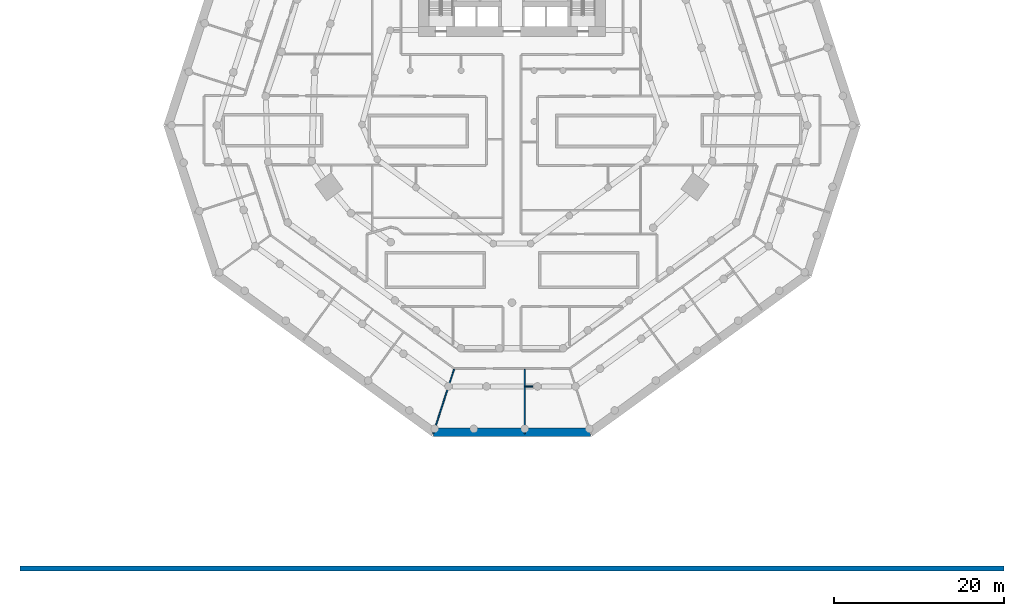
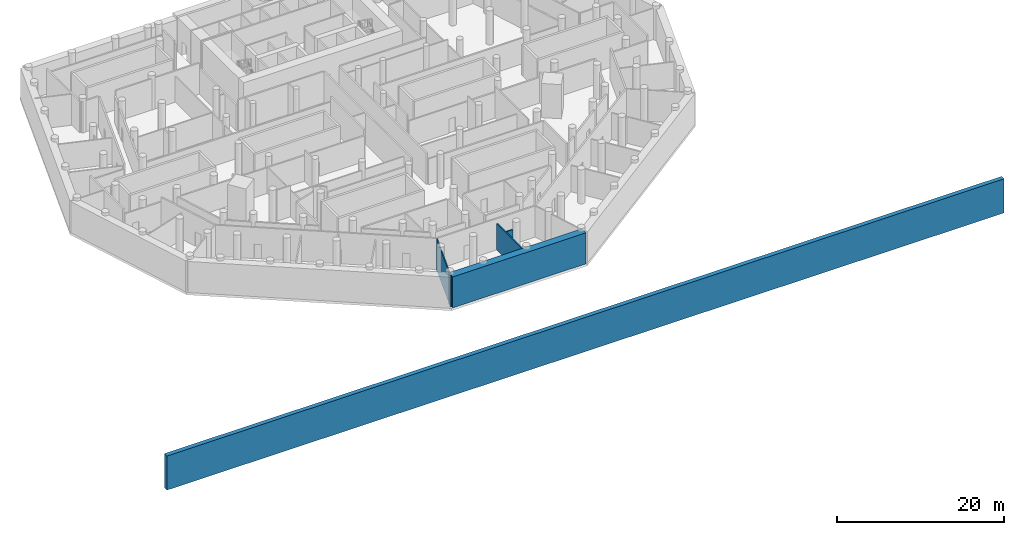
# One storey, part 4 of 10: 5 walls.
"""IFC4 building model written with IfcOpenShell, lengths in metres."""

from ifc_helpers import new_model, si_unit, direction, frame, frame_2d, origin, place, context, subcontext, project, spatial, rectangle, extrude, material, layer, layer_set, type_object, element, save


model = new_model("IFC4")

# Units and contexts
model_context = context("Model", 3, precision=1e-05, world=origin(), true_north=direction((0.0, 1.0)))
body_context = subcontext(model_context, "Body", "Model", "MODEL_VIEW")
ifc_project = project(units=[si_unit("LENGTHUNIT", "METRE"), si_unit("AREAUNIT", "SQUARE_METRE"), si_unit("VOLUMEUNIT", "CUBIC_METRE"), si_unit("PLANEANGLEUNIT", "RADIAN"), si_unit("MASSUNIT", "GRAM", prefix="KILO")], contexts=[model_context])

# Site, building, storey
site_placement = place(None, origin())
site = spatial("IfcSite", under=ifc_project, at=site_placement, CompositionType="ELEMENT")
building_placement = place(site_placement, origin())
building = spatial("IfcBuilding", under=site, at=building_placement, Name="White Candle Pilgrim Tower", CompositionType="ELEMENT")
storey_placement = place(building_placement, frame((0.0, 0.0, -5.0)))
storey = spatial("IfcBuildingStorey", under=building, at=storey_placement, Name="B1", CompositionType="ELEMENT", Elevation=-5.0)

# Walls
ifc_material_1 = material(Name="Concrete C40/50", Category="concrete")
ifc_layer_1 = layer(ifc_material_1, 1.0)
ifc_layer_set_1 = layer_set([ifc_layer_1], Name="Diaphragm wall 1000")
wall_type_1 = type_object("IfcWallType", Name="Diaphragm wall 1000", PredefinedType="SOLIDWALL", material=ifc_layer_set_1)
wall_1_placement = place(storey_placement, frame((79.240478515625, 24.361083984375, 0.0), z_axis=(0.0, 0.0, 1.0), x_axis=(-1.0, 0.0, 0.0)))
element("IfcWall", 1, at=wall_1_placement, inside=storey, type_object=wall_type_1, Name="Diaphragm wall B1-03", PredefinedType="SOLIDWALL", context=body_context, shape_type="SweptSolid", body=[
    extrude(rectangle(XDim=18.48095703125, YDim=1.0, at=frame_2d((9.240478515625, 0.0))), origin(), (0.0, 0.0, 1.0), 4.550048828125),
])
ifc_material_2 = material(Name="Gypsum board on steel studs", Category="steel")
ifc_layer_2 = layer(ifc_material_2, 0.14990234375)
ifc_layer_set_2 = layer_set([ifc_layer_2], Name="Partition 150 mm EI 60")
wall_type_2 = type_object("IfcWallType", Name="Partition 150 mm EI 60", PredefinedType="PARTITIONING", material=ifc_layer_set_2)
wall_2_placement = place(storey_placement, frame((60.700927734375, 24.18115234375, 0.0), z_axis=(0.0, 0.0, 1.0), x_axis=(0.309032181924, 0.951051581427, 0.0)))
element("IfcWall", 2, at=wall_2_placement, inside=storey, type_object=wall_type_2, Name="WL-B1-P061", PredefinedType="PARTITIONING", context=body_context, shape_type="SweptSolid", body=[
    extrude(rectangle(XDim=7.990234375, YDim=0.14990234375, at=frame_2d((3.9951171875, 0.0))), origin(), (0.0, 0.0, 1.0), 4.550048828125),
])
wall_3_placement = place(storey_placement, frame((71.5, 24.18115234375, 0.0), z_axis=(0.0, 0.0, 1.0), x_axis=(0.0, 1.0, 0.0)))
element("IfcWall", 3, at=wall_3_placement, inside=storey, type_object=wall_type_2, Name="WL-B1-P071", PredefinedType="PARTITIONING", context=body_context, shape_type="SweptSolid", body=[
    extrude(rectangle(XDim=7.579833984375, YDim=0.14990234375, at=frame_2d((3.7900390625, 0.0))), origin(), (0.0, 0.0, 1.0), 3.85009765625),
])
wall_4_placement = place(storey_placement, frame((72.4599609375, 29.7587890625, 0.0), z_axis=(0.0, 0.0, 1.0), x_axis=(-1.0, 0.0, 0.0)))
element("IfcWall", 4, at=wall_4_placement, inside=storey, type_object=wall_type_2, Name="WL-B1-P100", PredefinedType="PARTITIONING", context=body_context, shape_type="SweptSolid", body=[
    extrude(rectangle(XDim=0.885009765625, YDim=0.14990234375, at=frame_2d((0.4423828125, 0.0))), origin(), (0.0, 0.0, 1.0), 3.85009765625),
])
ifc_layer_3 = layer(ifc_material_1, 0.60009765625)
ifc_layer_set_3 = layer_set([ifc_layer_3], Name="River wall EW6 concrete C40/50 600")
wall_type_3 = type_object("IfcWallType", Name="River wall EW6 concrete C40/50 600", PredefinedType="SOLIDWALL", material=ifc_layer_set_3)
wall_5_placement = place(storey_placement, frame((12.0, 8.300048828125, 0.0), z_axis=(0.0, 0.0, 1.0), x_axis=(1.0, 0.0, 0.0)))
element("IfcWall", 5, at=wall_5_placement, inside=storey, type_object=wall_type_3, Name="River wall", PredefinedType="SOLIDWALL", context=body_context, shape_type="SweptSolid", body=[
    extrude(rectangle(XDim=116.0, YDim=0.60009765625, at=frame_2d((58.0, 0.0))), origin(), (0.0, 0.0, 1.0), 5.0),
])

save(model, "model.ifc")
